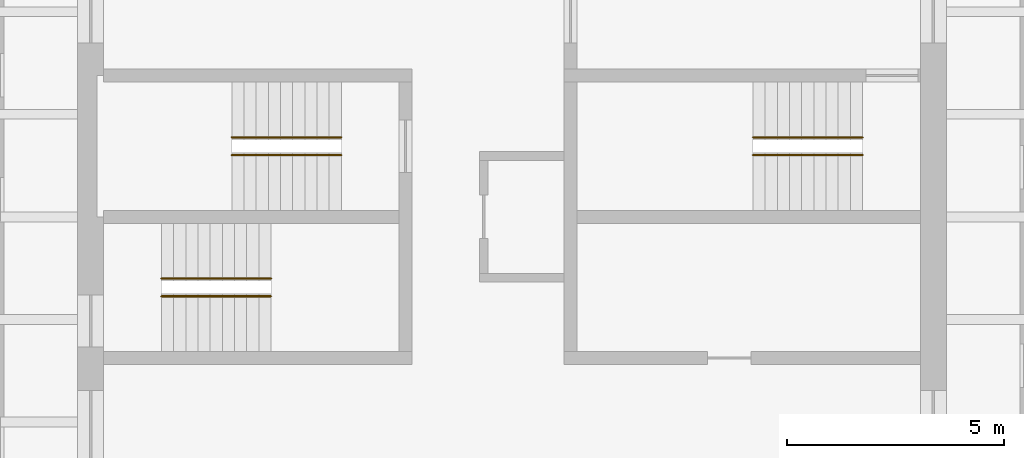
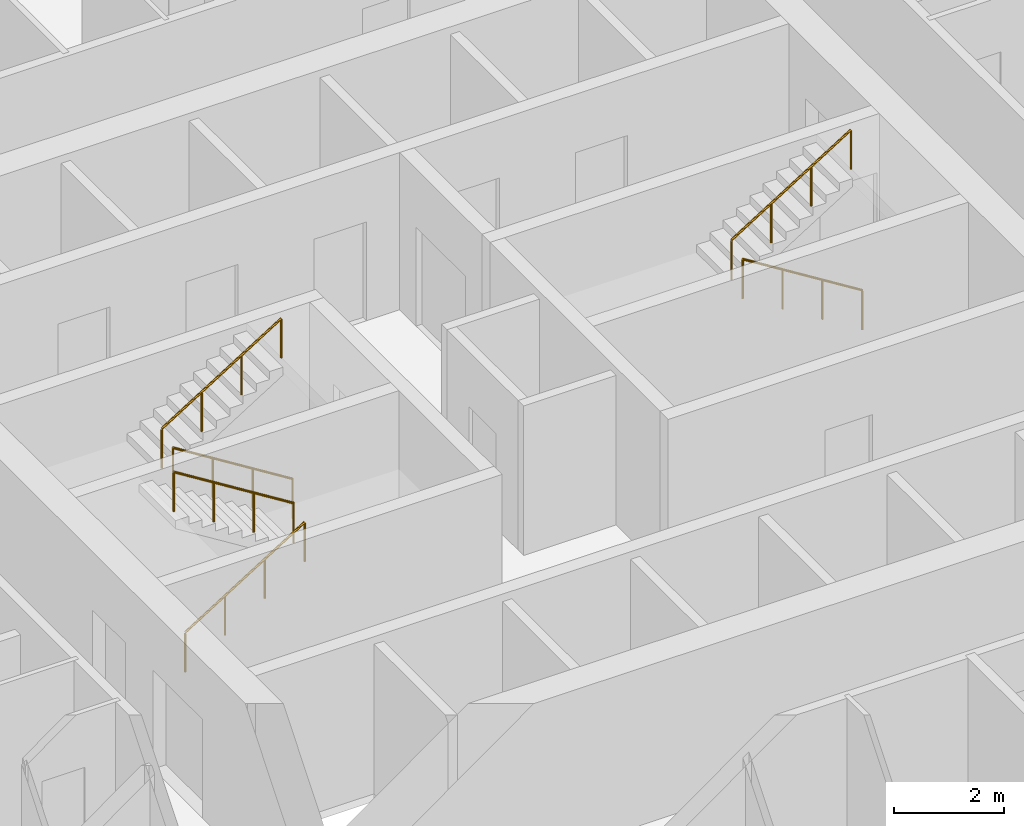
# One storey, part 9 of 9: 6 railings.
"""IFC4 building model written with IfcOpenShell, lengths in metres."""

from ifc_helpers import new_model, si_unit, direction, frame, origin, origin_2d, place, context, subcontext, project, spatial, circle, extrude, material, type_object, element, save


model = new_model("IFC4")

# Units and contexts
model_context = context("Model", 3, precision=1e-05, world=origin(), true_north=direction((0.0, 1.0)))
body_context = subcontext(model_context, "Body", "Model", "MODEL_VIEW")
ifc_project = project(units=[si_unit("LENGTHUNIT", "METRE"), si_unit("AREAUNIT", "SQUARE_METRE"), si_unit("VOLUMEUNIT", "CUBIC_METRE"), si_unit("PLANEANGLEUNIT", "RADIAN"), si_unit("MASSUNIT", "GRAM", prefix="KILO")], contexts=[model_context])

# Site, building, storey
site_placement = place(None, origin())
site = spatial("IfcSite", under=ifc_project, at=site_placement, CompositionType="ELEMENT")
building_placement = place(site_placement, origin())
building = spatial("IfcBuilding", under=site, at=building_placement, Name="Turquesa Mirador Hotel Tower", CompositionType="ELEMENT")
storey_placement = place(building_placement, frame((0.0, 0.0, 28.5)))
storey = spatial("IfcBuildingStorey", under=building, at=storey_placement, Name="L06", CompositionType="ELEMENT", Elevation=28.5)

# Railings
ifc_material = material(Name="Painted steel handrail", Category="steel")
railing_type = type_object("IfcRailingType", Name="HANDRAIL 900 STEEL", PredefinedType="HANDRAIL", material=ifc_material)
railing_1_placement = place(storey_placement, frame((51.070068359375, 46.419921875, 0.175048828125)))
element("IfcRailing", 1, at=railing_1_placement, inside=storey, type_object=railing_type, Name="Handrail ST1", PredefinedType="HANDRAIL", context=body_context, shape_type="SweptSolid", body=[
    extrude(circle(Radius=0.02392578125, at=origin_2d()), frame((0.0, 0.0, 0.8759765625), z_axis=(-0.848007534815, 0.0, 0.529984170421), x_axis=(0.0, -1.0, 0.0)), (0.0, 0.0, 1.0), 2.9716796875),
    extrude(circle(Radius=0.02099609375, at=origin_2d()), origin(), (0.0, 0.0, 1.0), 0.851806640625),
    extrude(circle(Radius=0.02099609375, at=origin_2d()), frame((-0.840087890625, 0.0, 0.52490234375)), (0.0, 0.0, 1.0), 0.851806640625),
    extrude(circle(Radius=0.02099609375, at=origin_2d()), frame((-1.679931640625, 0.0, 1.050048828125)), (0.0, 0.0, 1.0), 0.851806640625),
    extrude(circle(Radius=0.02099609375, at=origin_2d()), frame((-2.52001953125, 0.0, 1.574951171875)), (0.0, 0.0, 1.0), 0.851806640625),
])
for number, where, name in (
    (2, (48.550048828125, 46.830078125, 1.925048828125), "Handrail ST1"),
    (3, (46.929931640625, 43.169921875, 0.175048828125), "Handrail ST2"),
):
    element("IfcRailing", number, at=place(storey_placement, frame(where)), inside=storey, type_object=railing_type, Name=name, PredefinedType="HANDRAIL", context=body_context, shape_type="SweptSolid", body=[
        extrude(circle(Radius=0.02392578125, at=origin_2d()), frame((0.0, 0.0, 0.8759765625), z_axis=(0.848007534815, 0.0, 0.529984170421), x_axis=(0.0, 1.0, 0.0)), (0.0, 0.0, 1.0), 2.9716796875),
        extrude(circle(Radius=0.02099609375, at=origin_2d()), origin(), (0.0, 0.0, 1.0), 0.851806640625),
        extrude(circle(Radius=0.02099609375, at=origin_2d()), frame((0.840087890625, 0.0, 0.52490234375)), (0.0, 0.0, 1.0), 0.851806640625),
        extrude(circle(Radius=0.02099609375, at=origin_2d()), frame((1.679931640625, 0.0, 1.050048828125)), (0.0, 0.0, 1.0), 0.851806640625),
        extrude(circle(Radius=0.02099609375, at=origin_2d()), frame((2.52001953125, 0.0, 1.574951171875)), (0.0, 0.0, 1.0), 0.851806640625),
    ])
for number, where, name in (
    (4, (49.449951171875, 43.580078125, 1.925048828125), "Handrail ST2"),
    (5, (63.070068359375, 46.419921875, 0.175048828125), "Handrail ST3"),
):
    element("IfcRailing", number, at=place(storey_placement, frame(where)), inside=storey, type_object=railing_type, Name=name, PredefinedType="HANDRAIL", context=body_context, shape_type="SweptSolid", body=[
        extrude(circle(Radius=0.02392578125, at=origin_2d()), frame((0.0, 0.0, 0.8759765625), z_axis=(-0.848007534815, 0.0, 0.529984170421), x_axis=(0.0, -1.0, 0.0)), (0.0, 0.0, 1.0), 2.9716796875),
        extrude(circle(Radius=0.02099609375, at=origin_2d()), origin(), (0.0, 0.0, 1.0), 0.851806640625),
        extrude(circle(Radius=0.02099609375, at=origin_2d()), frame((-0.840087890625, 0.0, 0.52490234375)), (0.0, 0.0, 1.0), 0.851806640625),
        extrude(circle(Radius=0.02099609375, at=origin_2d()), frame((-1.679931640625, 0.0, 1.050048828125)), (0.0, 0.0, 1.0), 0.851806640625),
        extrude(circle(Radius=0.02099609375, at=origin_2d()), frame((-2.52001953125, 0.0, 1.574951171875)), (0.0, 0.0, 1.0), 0.851806640625),
    ])
railing_2_placement = place(storey_placement, frame((60.550048828125, 46.830078125, 1.925048828125)))
element("IfcRailing", 6, at=railing_2_placement, inside=storey, type_object=railing_type, Name="Handrail ST3", PredefinedType="HANDRAIL", context=body_context, shape_type="SweptSolid", body=[
    extrude(circle(Radius=0.02392578125, at=origin_2d()), frame((0.0, 0.0, 0.8759765625), z_axis=(0.848007534815, 0.0, 0.529984170421), x_axis=(0.0, 1.0, 0.0)), (0.0, 0.0, 1.0), 2.9716796875),
    extrude(circle(Radius=0.02099609375, at=origin_2d()), origin(), (0.0, 0.0, 1.0), 0.851806640625),
    extrude(circle(Radius=0.02099609375, at=origin_2d()), frame((0.840087890625, 0.0, 0.52490234375)), (0.0, 0.0, 1.0), 0.851806640625),
    extrude(circle(Radius=0.02099609375, at=origin_2d()), frame((1.679931640625, 0.0, 1.050048828125)), (0.0, 0.0, 1.0), 0.851806640625),
    extrude(circle(Radius=0.02099609375, at=origin_2d()), frame((2.52001953125, 0.0, 1.574951171875)), (0.0, 0.0, 1.0), 0.851806640625),
])

save(model, "model.ifc")
